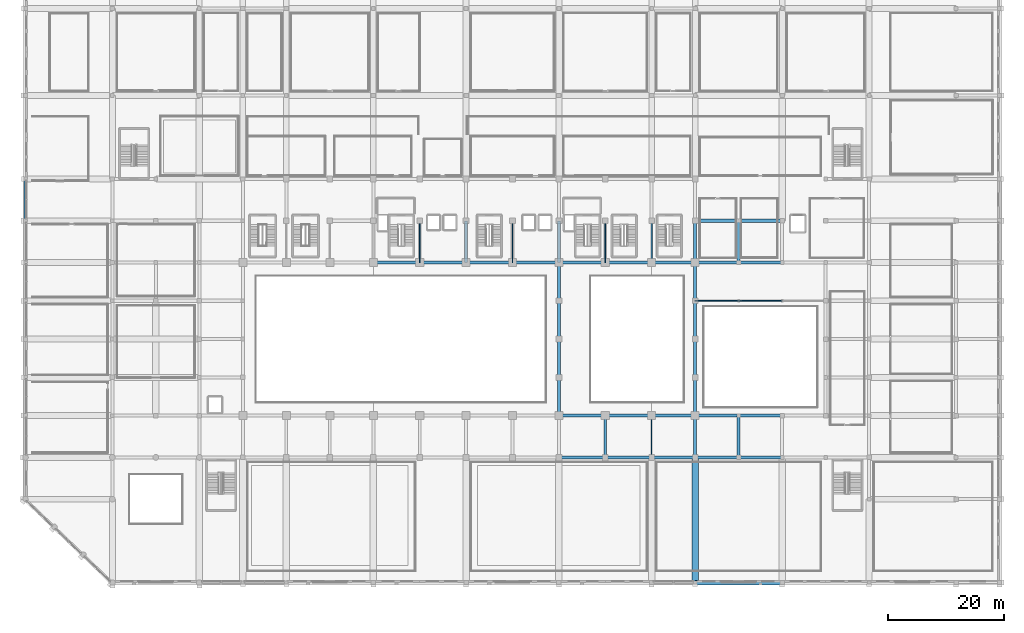
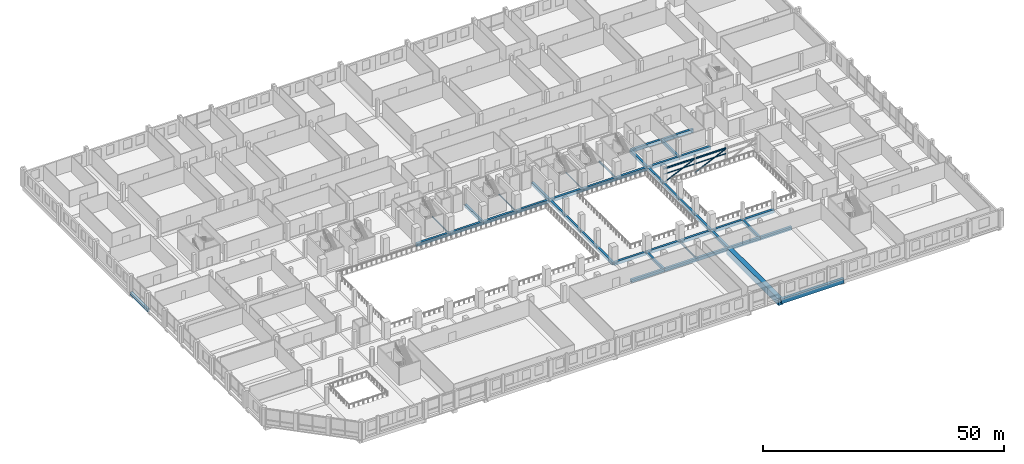
# One storey, part 25 of 64: 43 beams, 7 members.
"""IFC4 building model written with IfcOpenShell, lengths in metres."""

import ifcopenshell
import ifcopenshell.guid

model = None  # the IFC model being written
_history = None  # IfcOwnerHistory: only IFC2X3 demands one
_inside = {}  # id of a spatial element -> (the spatial element, [elements in it])
_under = {}  # id of a project, library or spatial element -> (it, [spatial elements below it])
_declared = {}  # id of a project -> (the project, [libraries it declares])
_typed = {}  # id of a type object -> (the type object, [elements of that type])
_made_of = {}  # id of a material, layer set ... -> (it, [elements and type objects made of it])


def new_model(schema):
    """Start an empty IFC model of exactly this schema.

    Asked for "IFC4X3", IfcOpenShell would pick the latest addendum, in which some entities
    have other attributes; the version numbers below select the first issue.
    IFC2X3 requires an IfcOwnerHistory on every rooted entity: one is made here for all.
    """
    global model, _history
    if schema == "IFC4X3":
        model = ifcopenshell.file(schema_version=(4, 3, 0, 0))
    else:
        model = ifcopenshell.file(schema=schema)
    _inside.clear()
    _under.clear()
    _declared.clear()
    _typed.clear()
    _made_of.clear()
    _history = None
    if model.schema == "IFC2X3":
        org = make("IfcOrganization", Name="unknown")
        user = make(
            "IfcPersonAndOrganization",
            ThePerson=make("IfcPerson", FamilyName="unknown"),
            TheOrganization=org,
        )
        app = make(
            "IfcApplication",
            ApplicationDeveloper=org,
            Version="unknown",
            ApplicationFullName="unknown",
            ApplicationIdentifier="unknown",
        )
        _history = make(
            "IfcOwnerHistory",
            OwningUser=user,
            OwningApplication=app,
            ChangeAction="ADDED",
            CreationDate=0,
        )
    return model


def make(cls, **values):
    """One entity of the class cls with the attributes given. An attribute that is None is left unset."""
    return model.create_entity(
        cls, **{name: value for name, value in values.items() if value is not None}
    )


def rooted(cls, **values):
    """An entity with a GlobalId (a new one), such as an element, a storey or a relation."""
    return make(cls, GlobalId=ifcopenshell.guid.new(), OwnerHistory=_history, **values)


def si_unit(unit_type, name, prefix=None):
    """IfcSIUnit, for example si_unit("LENGTHUNIT", "METRE", prefix="MILLI")."""
    return make("IfcSIUnit", UnitType=unit_type, Prefix=prefix, Name=name)


def assignment(units):
    """IfcUnitAssignment: the units of a project."""
    return None if units is None else make("IfcUnitAssignment", Units=units)


def point(xyz):
    """IfcCartesianPoint."""
    return None if xyz is None else make("IfcCartesianPoint", Coordinates=xyz)


def direction(xyz):
    """IfcDirection."""
    return None if xyz is None else make("IfcDirection", DirectionRatios=xyz)


def frame(location, z_axis=None, x_axis=None):
    """IfcAxis2Placement3D, a coordinate frame: its origin and axes. An axis left out is left unset."""
    return make(
        "IfcAxis2Placement3D",
        Location=point(location),
        Axis=direction(z_axis),
        RefDirection=direction(x_axis),
    )


def frame_2d(location, x_axis=None):
    """IfcAxis2Placement2D, a coordinate frame in the plane: its origin and x axis."""
    return make(
        "IfcAxis2Placement2D", Location=point(location), RefDirection=direction(x_axis)
    )


def origin():
    """The frame at (0, 0, 0) with its axes left unset."""
    return frame((0.0, 0.0, 0.0))


def origin_2d():
    """The frame at (0, 0) in the plane with its x axis left unset."""
    return frame_2d((0.0, 0.0))


def place(relative_to, where):
    """IfcLocalPlacement: puts the frame where relative to a parent placement (None: the world)."""
    return make(
        "IfcLocalPlacement", PlacementRelTo=relative_to, RelativePlacement=where
    )


def context(
    kind, dimensions, precision=None, world=None, true_north=None, identifier=None
):
    """IfcGeometricRepresentationContext, for example the 3D "Model" context."""
    return make(
        "IfcGeometricRepresentationContext",
        ContextIdentifier=identifier,
        ContextType=kind,
        CoordinateSpaceDimension=dimensions,
        Precision=precision,
        WorldCoordinateSystem=world,
        TrueNorth=true_north,
    )


def subcontext(parent, identifier, kind, view, scale=None):
    """IfcGeometricRepresentationSubContext, for example "Body" below "Model"."""
    return make(
        "IfcGeometricRepresentationSubContext",
        ContextIdentifier=identifier,
        ContextType=kind,
        ParentContext=parent,
        TargetScale=scale,
        TargetView=view,
    )


def project(units=None, contexts=None):
    """IfcProject with its units and contexts."""
    return rooted(
        "IfcProject",
        Name="project",
        RepresentationContexts=contexts,
        UnitsInContext=assignment(units),
    )


def spatial(cls, under=None, at=None, **own):
    """A site, building, storey or space (cls), placed at a placement, below another one or the project."""
    s = rooted(cls, ObjectPlacement=at, **own)
    if under is not None:
        _under.setdefault(under.id(), (under, []))[1].append(s)
    return s


def profile(cls, at=None, kind="AREA", **sizes):
    """A parametric profile (cls). Its sizes go by their IFC names, for example OverallWidth=200.0."""
    return make(cls, ProfileType=kind, Position=at, **sizes)


def rectangle(**sizes):
    """IfcRectangleProfileDef."""
    return profile("IfcRectangleProfileDef", **sizes)


def hollow_rectangle(**sizes):
    """IfcRectangleHollowProfileDef."""
    return profile("IfcRectangleHollowProfileDef", **sizes)


def hollow_circle(**sizes):
    """IfcCircleHollowProfileDef."""
    return profile("IfcCircleHollowProfileDef", **sizes)


def i_section(**sizes):
    """IfcIShapeProfileDef."""
    return profile("IfcIShapeProfileDef", **sizes)


def extrude(swept, where, along, depth):
    """IfcExtrudedAreaSolid: the profile swept, set in the frame where, extruded along a direction by depth."""
    return make(
        "IfcExtrudedAreaSolid",
        SweptArea=swept,
        Position=where,
        ExtrudedDirection=direction(along),
        Depth=depth,
    )


def shape(context_of_items, identifier, shape_type, items):
    """IfcShapeRepresentation: the items that make up one representation, for example the "Body"."""
    return make(
        "IfcShapeRepresentation",
        ContextOfItems=context_of_items,
        RepresentationIdentifier=identifier,
        RepresentationType=shape_type,
        Items=items,
    )


def material(Name=None, Category=None):
    """IfcMaterial."""
    return make("IfcMaterial", Name=Name, Category=Category)


def material_profile(
    of_material, cross_section, Name=None, Category=None, Priority=None
):
    """IfcMaterialProfile: a cross section and its material."""
    return make(
        "IfcMaterialProfile",
        Name=Name,
        Material=of_material,
        Profile=cross_section,
        Priority=Priority,
        Category=Category,
    )


def profile_set(profiles, Name=None, composite=None):
    """IfcMaterialProfileSet."""
    return make(
        "IfcMaterialProfileSet",
        Name=Name,
        MaterialProfiles=profiles,
        CompositeProfile=composite,
    )


def made_of(thing, what):
    """Note that an element or type object is made of a material, layer set ...; save() writes the relation."""
    if what is not None:
        _made_of.setdefault(what.id(), (what, []))[1].append(thing)
    return thing


def type_object(cls, material=None, **own):
    """A type object (cls), such as IfcWallType, which elements share."""
    return made_of(rooted(cls, **own), material)


def element(
    cls,
    number,
    at=None,
    inside=None,
    cuts=None,
    type_object=None,
    material=None,
    context=None,
    identifier="Body",
    shape_type=None,
    held_by="IfcProductDefinitionShape",
    body=None,
    shapes=None,
    **own,
):
    """One element of the class cls, such as IfcWall. Its Tag is "e" and its number.

    at: its placement. inside: the storey or other place that contains it. cuts: it is an
    opening in that element (IfcRelVoidsElement). A single representation is given by context,
    identifier, shape_type and body (its items); several are given by shapes. held_by: the class
    of the entity that holds the representations. save() writes the other relations.
    """
    e = rooted(cls, Tag="e%d" % number, ObjectPlacement=at, **own)
    if body is not None:
        shapes = [shape(context, identifier, shape_type, body)]
    if shapes is not None:
        e.Representation = make(held_by, Representations=shapes)
    if inside is not None:
        _inside.setdefault(inside.id(), (inside, []))[1].append(e)
    if cuts is not None:
        rooted(
            "IfcRelVoidsElement", RelatingBuildingElement=cuts, RelatedOpeningElement=e
        )
    if type_object is not None:
        _typed.setdefault(type_object.id(), (type_object, []))[1].append(e)
    return made_of(e, material)


def aggregate(whole, parts):
    """IfcRelAggregates: a whole, such as a stair, and the parts it consists of."""
    return rooted("IfcRelAggregates", RelatingObject=whole, RelatedObjects=parts)


def save(model, path):
    """Write the relations noted so far, then the file.

    IfcRelAggregates (storeys below a building ...), IfcRelContainedInSpatialStructure (elements
    in a storey), IfcRelDefinesByType, IfcRelAssociatesMaterial and IfcRelDeclares: one each for
    every whole, place, type object, material and project.
    """
    for whole, parts in _under.values():
        aggregate(whole, parts)
    for where, things in _inside.values():
        rooted(
            "IfcRelContainedInSpatialStructure",
            RelatedElements=things,
            RelatingStructure=where,
        )
    for kind, things in _typed.values():
        rooted("IfcRelDefinesByType", RelatedObjects=things, RelatingType=kind)
    for what, things in _made_of.values():
        rooted("IfcRelAssociatesMaterial", RelatedObjects=things, RelatingMaterial=what)
    for by, libraries in _declared.values():
        rooted("IfcRelDeclares", RelatingContext=by, RelatedDefinitions=libraries)
    model.write(path)


model = new_model("IFC4")

# Units and contexts
model_context = context("Model", 3, precision=1e-05, world=origin(), true_north=direction((0.0, 1.0)))
body_context = subcontext(model_context, "Body", "Model", "MODEL_VIEW")
ifc_project = project(units=[si_unit("LENGTHUNIT", "METRE"), si_unit("AREAUNIT", "SQUARE_METRE"), si_unit("VOLUMEUNIT", "CUBIC_METRE"), si_unit("PLANEANGLEUNIT", "RADIAN"), si_unit("MASSUNIT", "GRAM", prefix="KILO")], contexts=[model_context])

# Site, building, storey
site_placement = place(None, origin())
site = spatial("IfcSite", under=ifc_project, at=site_placement, CompositionType="ELEMENT")
building_placement = place(site_placement, origin())
building = spatial("IfcBuilding", under=site, at=building_placement, Name="Akrevak Sports Hall", CompositionType="ELEMENT")
storey_placement = place(building_placement, frame((0.0, 0.0, 4.60009765625)))
storey = spatial("IfcBuildingStorey", under=building, at=storey_placement, Name="L01", CompositionType="ELEMENT", Elevation=4.60009765625)

# Beams
ifc_material_1 = material(Name="Concrete C50/60", Category="concrete")
ifc_material_profile_1 = material_profile(ifc_material_1, rectangle(XDim=1.10009765625, YDim=1.64990234375, at=origin_2d()), Name="BM 1100x1650", Category="concrete")
ifc_profile_set_1 = profile_set([ifc_material_profile_1], Name="Concrete C50/60")
beam_type_1 = type_object("IfcBeamType", Name="STR-BM-LG1100x1650", PredefinedType="BEAM", material=ifc_profile_set_1)
beam_1_placement = place(storey_placement, frame((115.5, 0.0, -0.8251953125), z_axis=(0.0, 1.0, 0.0), x_axis=(-1.0, 0.0, 0.0)))
element("IfcBeam", 1, at=beam_1_placement, inside=storey, type_object=beam_type_1, Name="Girder 16/A-D (L01)", PredefinedType="BEAM", context=body_context, shape_type="SweptSolid", body=[
    extrude(rectangle(XDim=1.10009765625, YDim=1.64990234375, at=origin_2d()), origin(), (0.0, 0.0, 1.0), 21.60009765625),
])
ifc_material_2 = material(Name="Concrete C40/50", Category="concrete")
ifc_material_profile_2 = material_profile(ifc_material_2, rectangle(XDim=0.5, YDim=0.75, at=origin_2d()), Name="BM 500x750", Category="concrete")
ifc_profile_set_2 = profile_set([ifc_material_profile_2], Name="Concrete C40/50")
beam_type_2 = type_object("IfcBeamType", Name="STR-BM-RC500x750", PredefinedType="BEAM", material=ifc_profile_set_2)
beam_2_placement = place(storey_placement, frame((0.0, 62.39990234375, -0.375), z_axis=(0.0, 1.0, 0.0), x_axis=(-1.0, 0.0, 0.0)))
element("IfcBeam", 2, at=beam_2_placement, inside=storey, type_object=beam_type_2, Name="Girder 1/J-K (L01)", PredefinedType="BEAM", context=body_context, shape_type="SweptSolid", body=[
    extrude(rectangle(XDim=0.5, YDim=0.75, at=origin_2d()), origin(), (0.0, 0.0, 1.0), 7.2001953125),
])
beam_3_placement = place(storey_placement, frame((76.0, 55.199951171875, -0.375), z_axis=(0.0, 1.0, 0.0), x_axis=(-1.0, 0.0, 0.0)))
element("IfcBeam", 3, at=beam_3_placement, inside=storey, type_object=beam_type_2, Name="Girder 11/I-J (L01)", PredefinedType="BEAM", context=body_context, shape_type="SweptSolid", body=[
    extrude(rectangle(XDim=0.5, YDim=0.75, at=origin_2d()), origin(), (0.0, 0.0, 1.0), 7.199951171875),
])
beam_4_placement = place(storey_placement, frame((92.0, 28.800048828125, -0.375), z_axis=(0.0, 1.0, 0.0), x_axis=(-1.0, 0.0, 0.0)))
element("IfcBeam", 4, at=beam_4_placement, inside=storey, type_object=beam_type_2, Name="Girder 13/E-F (L01)", PredefinedType="BEAM", context=body_context, shape_type="SweptSolid", body=[
    extrude(rectangle(XDim=0.5, YDim=0.75, at=origin_2d()), origin(), (0.0, 0.0, 1.0), 6.599853515625),
])
for number, where, z_axis, x_axis, name in (
    (5, (92.0, 35.39990234375, -0.375), (0.0, 1.0, 0.0), (-1.0, 0.0, 0.0), "Girder 13/F-G (L01)"),
    (6, (92.0, 42.0, -0.375), (0.0, 1.0, 0.0), (-1.0, 0.0, 0.0), "Girder 13/G-H (L01)"),
):
    element("IfcBeam", number, at=place(storey_placement, frame(where, z_axis=z_axis, x_axis=x_axis)), inside=storey, type_object=beam_type_2, Name=name, PredefinedType="BEAM", context=body_context, shape_type="SweptSolid", body=[
        extrude(rectangle(XDim=0.5, YDim=0.75, at=origin_2d()), origin(), (0.0, 0.0, 1.0), 6.60009765625),
    ])
beam_5_placement = place(storey_placement, frame((92.0, 48.60009765625, -0.375), z_axis=(0.0, 1.0, 0.0), x_axis=(-1.0, 0.0, 0.0)))
element("IfcBeam", 7, at=beam_5_placement, inside=storey, type_object=beam_type_2, Name="Girder 13/H-I (L01)", PredefinedType="BEAM", context=body_context, shape_type="SweptSolid", body=[
    extrude(rectangle(XDim=0.5, YDim=0.75, at=origin_2d()), origin(), (0.0, 0.0, 1.0), 6.599853515625),
])
for number, where, z_axis, x_axis, name in (
    (8, (92.0, 55.199951171875, -0.375), (0.0, 1.0, 0.0), (-1.0, 0.0, 0.0), "Girder 13/I-J (L01)"),
    (9, (115.5, 21.60009765625, -0.375), (0.0, 1.0, 0.0), (-1.0, 0.0, 0.0), "Girder 16/D-E (L01)"),
):
    element("IfcBeam", number, at=place(storey_placement, frame(where, z_axis=z_axis, x_axis=x_axis)), inside=storey, type_object=beam_type_2, Name=name, PredefinedType="BEAM", context=body_context, shape_type="SweptSolid", body=[
        extrude(rectangle(XDim=0.5, YDim=0.75, at=origin_2d()), origin(), (0.0, 0.0, 1.0), 7.199951171875),
    ])
beam_6_placement = place(storey_placement, frame((115.5, 28.800048828125, -0.375), z_axis=(0.0, 1.0, 0.0), x_axis=(-1.0, 0.0, 0.0)))
element("IfcBeam", 10, at=beam_6_placement, inside=storey, type_object=beam_type_2, Name="Girder 16/E-F (L01)", PredefinedType="BEAM", context=body_context, shape_type="SweptSolid", body=[
    extrude(rectangle(XDim=0.5, YDim=0.75, at=origin_2d()), origin(), (0.0, 0.0, 1.0), 6.599853515625),
])
for number, where, z_axis, x_axis, name in (
    (11, (115.5, 35.39990234375, -0.375), (0.0, 1.0, 0.0), (-1.0, 0.0, 0.0), "Girder 16/F-G (L01)"),
    (12, (115.5, 42.0, -0.375), (0.0, 1.0, 0.0), (-1.0, 0.0, 0.0), "Girder 16/G-H (L01)"),
):
    element("IfcBeam", number, at=place(storey_placement, frame(where, z_axis=z_axis, x_axis=x_axis)), inside=storey, type_object=beam_type_2, Name=name, PredefinedType="BEAM", context=body_context, shape_type="SweptSolid", body=[
        extrude(rectangle(XDim=0.5, YDim=0.75, at=origin_2d()), origin(), (0.0, 0.0, 1.0), 6.60009765625),
    ])
beam_7_placement = place(storey_placement, frame((115.5, 48.60009765625, -0.375), z_axis=(0.0, 1.0, 0.0), x_axis=(-1.0, 0.0, 0.0)))
element("IfcBeam", 13, at=beam_7_placement, inside=storey, type_object=beam_type_2, Name="Girder 16/H-I (L01)", PredefinedType="BEAM", context=body_context, shape_type="SweptSolid", body=[
    extrude(rectangle(XDim=0.5, YDim=0.75, at=origin_2d()), origin(), (0.0, 0.0, 1.0), 6.599853515625),
])
for number, where, z_axis, x_axis, name in (
    (14, (115.5, 55.199951171875, -0.375), (0.0, 1.0, 0.0), (-1.0, 0.0, 0.0), "Girder 16/I-J (L01)"),
    (15, (123.0, 21.60009765625, -0.375), (0.0, 1.0, 0.0), (-1.0, 0.0, 0.0), "Girder 17/D-E (L01)"),
    (16, (123.0, 55.199951171875, -0.375), (0.0, 1.0, 0.0), (-1.0, 0.0, 0.0), "Girder 17/I-J (L01)"),
):
    element("IfcBeam", number, at=place(storey_placement, frame(where, z_axis=z_axis, x_axis=x_axis)), inside=storey, type_object=beam_type_2, Name=name, PredefinedType="BEAM", context=body_context, shape_type="SweptSolid", body=[
        extrude(rectangle(XDim=0.5, YDim=0.75, at=origin_2d()), origin(), (0.0, 0.0, 1.0), 7.199951171875),
    ])
ifc_material_profile_3 = material_profile(ifc_material_2, rectangle(XDim=0.550048828125, YDim=0.800048828125, at=origin_2d()), Name="BM 550x800", Category="concrete")
ifc_profile_set_3 = profile_set([ifc_material_profile_3], Name="Concrete C40/50")
beam_type_3 = type_object("IfcBeamType", Name="STR-BM-RC550x800", PredefinedType="BEAM", material=ifc_profile_set_3)
for number, where, z_axis, x_axis, name in (
    (17, (92.0, 21.60009765625, -0.400146484375), (1.0, 0.0, 0.0), (0.0, 1.0, 0.0), "Girder D/13-14 (L01)"),
    (18, (100.0, 21.60009765625, -0.400146484375), (1.0, 0.0, 0.0), (0.0, 1.0, 0.0), "Girder D/14-15 (L01)"),
):
    element("IfcBeam", number, at=place(storey_placement, frame(where, z_axis=z_axis, x_axis=x_axis)), inside=storey, type_object=beam_type_3, Name=name, PredefinedType="BEAM", context=body_context, shape_type="SweptSolid", body=[
        extrude(rectangle(XDim=0.550048828125, YDim=0.800048828125, at=origin_2d()), origin(), (0.0, 0.0, 1.0), 8.0),
    ])
for number, where, z_axis, x_axis, name in (
    (19, (108.0, 21.60009765625, -0.400146484375), (1.0, 0.0, 0.0), (0.0, 1.0, 0.0), "Girder D/15-16 (L01)"),
    (20, (115.5, 21.60009765625, -0.400146484375), (1.0, 0.0, 0.0), (0.0, 1.0, 0.0), "Girder D/16-17 (L01)"),
    (21, (123.0, 21.60009765625, -0.400146484375), (1.0, 0.0, 0.0), (0.0, 1.0, 0.0), "Girder D/17-18 (L01)"),
):
    element("IfcBeam", number, at=place(storey_placement, frame(where, z_axis=z_axis, x_axis=x_axis)), inside=storey, type_object=beam_type_3, Name=name, PredefinedType="BEAM", context=body_context, shape_type="SweptSolid", body=[
        extrude(rectangle(XDim=0.550048828125, YDim=0.800048828125, at=origin_2d()), origin(), (0.0, 0.0, 1.0), 7.5),
    ])
for number, where, z_axis, x_axis, name in (
    (22, (92.0, 28.800048828125, -0.400146484375), (1.0, 0.0, 0.0), (0.0, 1.0, 0.0), "Girder E/13-14 (L01)"),
    (23, (100.0, 28.800048828125, -0.400146484375), (1.0, 0.0, 0.0), (0.0, 1.0, 0.0), "Girder E/14-15 (L01)"),
):
    element("IfcBeam", number, at=place(storey_placement, frame(where, z_axis=z_axis, x_axis=x_axis)), inside=storey, type_object=beam_type_3, Name=name, PredefinedType="BEAM", context=body_context, shape_type="SweptSolid", body=[
        extrude(rectangle(XDim=0.550048828125, YDim=0.800048828125, at=origin_2d()), origin(), (0.0, 0.0, 1.0), 8.0),
    ])
for number, where, z_axis, x_axis, name in (
    (24, (108.0, 28.800048828125, -0.400146484375), (1.0, 0.0, 0.0), (0.0, 1.0, 0.0), "Girder E/15-16 (L01)"),
    (25, (115.5, 28.800048828125, -0.400146484375), (1.0, 0.0, 0.0), (0.0, 1.0, 0.0), "Girder E/16-17 (L01)"),
    (26, (123.0, 28.800048828125, -0.400146484375), (1.0, 0.0, 0.0), (0.0, 1.0, 0.0), "Girder E/17-18 (L01)"),
):
    element("IfcBeam", number, at=place(storey_placement, frame(where, z_axis=z_axis, x_axis=x_axis)), inside=storey, type_object=beam_type_3, Name=name, PredefinedType="BEAM", context=body_context, shape_type="SweptSolid", body=[
        extrude(rectangle(XDim=0.550048828125, YDim=0.800048828125, at=origin_2d()), origin(), (0.0, 0.0, 1.0), 7.5),
    ])
for number, where, z_axis, x_axis, name in (
    (27, (60.0, 55.199951171875, -0.400146484375), (1.0, 0.0, 0.0), (0.0, 1.0, 0.0), "Girder I/9-10 (L01)"),
    (28, (68.0, 55.199951171875, -0.400146484375), (1.0, 0.0, 0.0), (0.0, 1.0, 0.0), "Girder I/10-11 (L01)"),
    (29, (76.0, 55.199951171875, -0.400146484375), (1.0, 0.0, 0.0), (0.0, 1.0, 0.0), "Girder I/11-12 (L01)"),
    (30, (84.0, 55.199951171875, -0.400146484375), (1.0, 0.0, 0.0), (0.0, 1.0, 0.0), "Girder I/12-13 (L01)"),
    (31, (92.0, 55.199951171875, -0.400146484375), (1.0, 0.0, 0.0), (0.0, 1.0, 0.0), "Girder I/13-14 (L01)"),
    (32, (100.0, 55.199951171875, -0.400146484375), (1.0, 0.0, 0.0), (0.0, 1.0, 0.0), "Girder I/14-15 (L01)"),
):
    element("IfcBeam", number, at=place(storey_placement, frame(where, z_axis=z_axis, x_axis=x_axis)), inside=storey, type_object=beam_type_3, Name=name, PredefinedType="BEAM", context=body_context, shape_type="SweptSolid", body=[
        extrude(rectangle(XDim=0.550048828125, YDim=0.800048828125, at=origin_2d()), origin(), (0.0, 0.0, 1.0), 8.0),
    ])
for number, where, z_axis, x_axis, name in (
    (33, (108.0, 55.199951171875, -0.400146484375), (1.0, 0.0, 0.0), (0.0, 1.0, 0.0), "Girder I/15-16 (L01)"),
    (34, (115.5, 55.199951171875, -0.400146484375), (1.0, 0.0, 0.0), (0.0, 1.0, 0.0), "Girder I/16-17 (L01)"),
    (35, (123.0, 55.199951171875, -0.400146484375), (1.0, 0.0, 0.0), (0.0, 1.0, 0.0), "Girder I/17-18 (L01)"),
    (36, (115.5, 62.39990234375, -0.400146484375), (1.0, 0.0, 0.0), (0.0, 1.0, 0.0), "Girder J/16-17 (L01)"),
    (37, (123.0, 62.39990234375, -0.400146484375), (1.0, 0.0, 0.0), (0.0, 1.0, 0.0), "Girder J/17-18 (L01)"),
):
    element("IfcBeam", number, at=place(storey_placement, frame(where, z_axis=z_axis, x_axis=x_axis)), inside=storey, type_object=beam_type_3, Name=name, PredefinedType="BEAM", context=body_context, shape_type="SweptSolid", body=[
        extrude(rectangle(XDim=0.550048828125, YDim=0.800048828125, at=origin_2d()), origin(), (0.0, 0.0, 1.0), 7.5),
    ])
ifc_material_3 = material(Name="Steel S355", Category="steel")
ifc_material_profile_4 = material_profile(ifc_material_3, i_section(OverallWidth=0.280029296875, OverallDepth=0.280029296875, WebThickness=0.010498046875, FlangeThickness=0.01806640625, FilletRadius=0.02392578125, at=origin_2d()), Name="HEB 280", Category="steel")
ifc_profile_set_4 = profile_set([ifc_material_profile_4], Name="Steel S355")
beam_type_4 = type_object("IfcBeamType", Name="STR-BM-STL-HEB280", PredefinedType="BEAM", material=ifc_profile_set_4)
beam_8_placement = place(storey_placement, frame((108.0, 55.199951171875, -0.4501953125), z_axis=(0.0, 1.0, 0.0), x_axis=(-1.0, 0.0, 0.0)))
element("IfcBeam", 38, at=beam_8_placement, inside=storey, type_object=beam_type_4, Name="Arena Concourse Steel Girder 2", PredefinedType="BEAM", context=body_context, shape_type="SweptSolid", body=[
    extrude(i_section(OverallWidth=0.280029296875, OverallDepth=0.280029296875, WebThickness=0.010498046875, FlangeThickness=0.01806640625, FilletRadius=0.02392578125, at=origin_2d()), origin(), (0.0, 0.0, 1.0), 7.199951171875),
])
ifc_material_profile_5 = material_profile(ifc_material_3, i_section(OverallWidth=0.179931640625, OverallDepth=0.39990234375, WebThickness=0.008544921875, FlangeThickness=0.013427734375, FilletRadius=0.02099609375, at=origin_2d()), Name="IPE 400", Category="steel")
ifc_profile_set_5 = profile_set([ifc_material_profile_5], Name="Steel S355")
beam_type_5 = type_object("IfcBeamType", Name="STR-BM-STL-IPE400", PredefinedType="JOIST", material=ifc_profile_set_5)
for number, where, z_axis, x_axis, name in (
    (39, (115.5, 48.60009765625, 3.39990234375), (1.0, 0.0, 0.0), (0.0, 1.0, 0.0), "Climbing Frame Tie Beam 1 (L01)"),
    (40, (123.0, 48.60009765625, 3.39990234375), (1.0, 0.0, 0.0), (0.0, 1.0, 0.0), "Climbing Frame Tie Beam 2 (L01)"),
):
    element("IfcBeam", number, at=place(storey_placement, frame(where, z_axis=z_axis, x_axis=x_axis)), inside=storey, type_object=beam_type_5, Name=name, PredefinedType="JOIST", context=body_context, shape_type="SweptSolid", body=[
        extrude(i_section(OverallWidth=0.179931640625, OverallDepth=0.39990234375, WebThickness=0.008544921875, FlangeThickness=0.013427734375, FilletRadius=0.02099609375, at=origin_2d()), origin(), (0.0, 0.0, 1.0), 7.5),
    ])
ifc_material_profile_6 = material_profile(ifc_material_3, i_section(OverallWidth=0.18994140625, OverallDepth=0.449951171875, WebThickness=0.009521484375, FlangeThickness=0.0146484375, FilletRadius=0.02099609375, at=origin_2d()), Name="IPE 450", Category="steel")
ifc_profile_set_6 = profile_set([ifc_material_profile_6], Name="Steel S355")
beam_type_6 = type_object("IfcBeamType", Name="STR-BM-STL-IPE450", PredefinedType="BEAM", material=ifc_profile_set_6)
beam_9_placement = place(storey_placement, frame((108.0, 21.60009765625, -0.53515625), z_axis=(0.0, 1.0, 0.0), x_axis=(-1.0, 0.0, 0.0)))
element("IfcBeam", 41, at=beam_9_placement, inside=storey, type_object=beam_type_6, Name="Arena Concourse Steel Girder 1", PredefinedType="BEAM", context=body_context, shape_type="SweptSolid", body=[
    extrude(i_section(OverallWidth=0.18994140625, OverallDepth=0.449951171875, WebThickness=0.009521484375, FlangeThickness=0.0146484375, FilletRadius=0.02099609375, at=origin_2d()), origin(), (0.0, 0.0, 1.0), 7.199951171875),
])

# Members
ifc_material_profile_7 = material_profile(ifc_material_3, hollow_circle(Radius=0.084228515625, WallThickness=0.008056640625, at=origin_2d()), Name="CHS 168.3x8", Category="steel")
ifc_profile_set_7 = profile_set([ifc_material_profile_7], Name="Steel S355")
member_type_1 = type_object("IfcMemberType", Name="STR-MEM-BRACE-CHS168", PredefinedType="BRACE", material=ifc_profile_set_7)
for number, where, z_axis, x_axis, name in (
    (42, (115.5, 48.60009765625, -0.150146484375), (0.906183139995, 0.0, 0.422885465331), (0.0, 1.0, 0.0), "Climbing Wall Diagonal Brace BR-1 (L01)"),
    (43, (123.0, 48.60009765625, -0.150146484375), (0.906183139995, 0.0, 0.422885465331), (0.0, 1.0, 0.0), "Climbing Wall Diagonal Brace BR-2 (L01)"),
):
    element("IfcMember", number, at=place(storey_placement, frame(where, z_axis=z_axis, x_axis=x_axis)), inside=storey, type_object=member_type_1, Name=name, PredefinedType="BRACE", context=body_context, shape_type="SweptSolid", body=[
        extrude(hollow_circle(Radius=0.084228515625, WallThickness=0.008056640625, at=origin_2d()), origin(), (0.0, 0.0, 1.0), 8.2763671875),
    ])
ifc_material_profile_8 = material_profile(ifc_material_3, hollow_rectangle(XDim=0.1201171875, YDim=0.199951171875, WallThickness=0.010009765625, at=origin_2d()), Name="RHS 200x120x10", Category="steel")
ifc_profile_set_8 = profile_set([ifc_material_profile_8], Name="Steel S355")
member_type_2 = type_object("IfcMemberType", Name="STR-MEM-STR-RHS200", PredefinedType="STRINGER", material=ifc_profile_set_8)
for number, where, z_axis, x_axis, name in (
    (44, (115.5, 48.60009765625, 2.02490234375), (1.0, 0.0, 0.0), (0.0, 1.0, 0.0), "Climbing Wall Stringer STG-1 (L01)"),
    (45, (123.0, 48.60009765625, 2.02490234375), (1.0, 0.0, 0.0), (0.0, 1.0, 0.0), "Climbing Wall Stringer STG-2 (L01)"),
):
    element("IfcMember", number, at=place(storey_placement, frame(where, z_axis=z_axis, x_axis=x_axis)), inside=storey, type_object=member_type_2, Name=name, PredefinedType="STRINGER", context=body_context, shape_type="SweptSolid", body=[
        extrude(hollow_rectangle(XDim=0.1201171875, YDim=0.199951171875, WallThickness=0.010009765625, at=origin_2d()), origin(), (0.0, 0.0, 1.0), 7.5),
    ])
ifc_material_profile_9 = material_profile(ifc_material_3, hollow_rectangle(XDim=0.14990234375, YDim=0.25, WallThickness=0.012451171875, at=origin_2d()), Name="RHS 250x150x12.5", Category="steel")
ifc_profile_set_9 = profile_set([ifc_material_profile_9], Name="Steel S355")
member_type_3 = type_object("IfcMemberType", Name="STR-MEM-STR-RHS250", PredefinedType="STRINGER", material=ifc_profile_set_9)
for number, where, z_axis, x_axis, name in (
    (46, (68.0, 55.199951171875, -0.420166015625), (0.0, 1.0, 0.0), (-1.0, 0.0, 0.0), "Spectator Gallery Tie Stringer 3"),
    (47, (84.0, 55.199951171875, -0.420166015625), (0.0, 1.0, 0.0), (-1.0, 0.0, 0.0), "Spectator Gallery Tie Stringer 4"),
    (48, (100.0, 55.199951171875, -0.420166015625), (0.0, 1.0, 0.0), (-1.0, 0.0, 0.0), "Spectator Gallery Tie Stringer 5"),
):
    element("IfcMember", number, at=place(storey_placement, frame(where, z_axis=z_axis, x_axis=x_axis)), inside=storey, type_object=member_type_3, Name=name, PredefinedType="STRINGER", context=body_context, shape_type="SweptSolid", body=[
        extrude(hollow_rectangle(XDim=0.14990234375, YDim=0.25, WallThickness=0.012451171875, at=origin_2d()), origin(), (0.0, 0.0, 1.0), 7.199951171875),
    ])

# Beams
ifc_material_profile_10 = material_profile(ifc_material_2, rectangle(XDim=0.449951171875, YDim=0.679931640625, at=origin_2d()), Name="RKR 450x680", Category="concrete")
ifc_profile_set_10 = profile_set([ifc_material_profile_10], Name="Concrete C40/50")
beam_type_7 = type_object("IfcBeamType", Name="STR-RKR-RC450x680", PredefinedType="BEAM", material=ifc_profile_set_10)
beam_10_placement = place(storey_placement, frame((100.0, 21.60009765625, -0.340087890625), z_axis=(0.0, 1.0, 0.0), x_axis=(-1.0, 0.0, 0.0)))
element("IfcBeam", 49, at=beam_10_placement, inside=storey, type_object=beam_type_7, Name="Spectator Stand Raker Girder RK-5", PredefinedType="BEAM", context=body_context, shape_type="SweptSolid", body=[
    extrude(rectangle(XDim=0.449951171875, YDim=0.679931640625, at=origin_2d()), origin(), (0.0, 0.0, 1.0), 7.199951171875),
])
ifc_material_profile_11 = material_profile(ifc_material_1, rectangle(XDim=0.75, YDim=1.14990234375, at=origin_2d()), Name="SPD 750x1150", Category="concrete")
ifc_profile_set_11 = profile_set([ifc_material_profile_11], Name="Concrete C50/60")
beam_type_8 = type_object("IfcBeamType", Name="STR-SPD-LSP750x1150", PredefinedType="SPANDREL", material=ifc_profile_set_11)
beam_11_placement = place(storey_placement, frame((115.5, 0.0, -0.5751953125), z_axis=(1.0, 0.0, 0.0), x_axis=(0.0, 1.0, 0.0)))
element("IfcBeam", 50, at=beam_11_placement, inside=storey, type_object=beam_type_8, Name="Girder A/16-18 (L01)", PredefinedType="SPANDREL", context=body_context, shape_type="SweptSolid", body=[
    extrude(rectangle(XDim=0.75, YDim=1.14990234375, at=origin_2d()), origin(), (0.0, 0.0, 1.0), 15.0),
])

save(model, "model.ifc")
